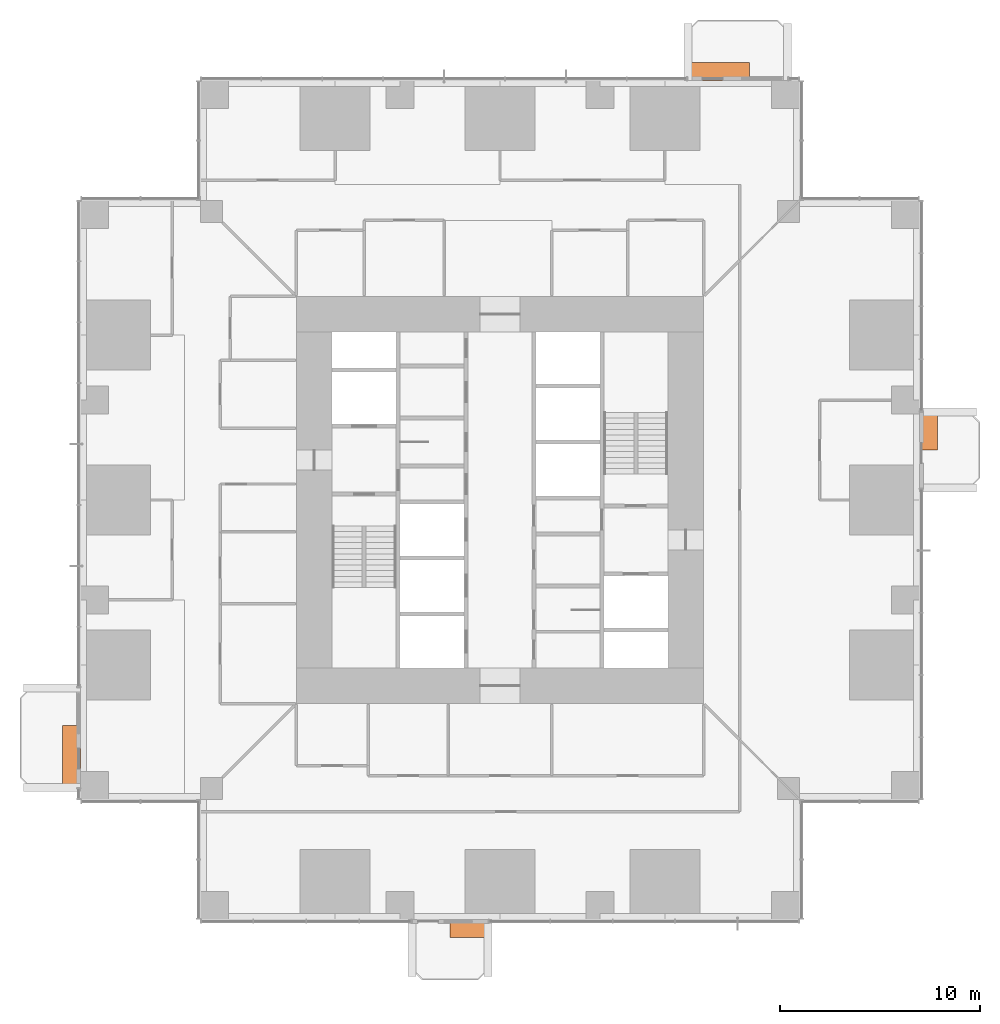
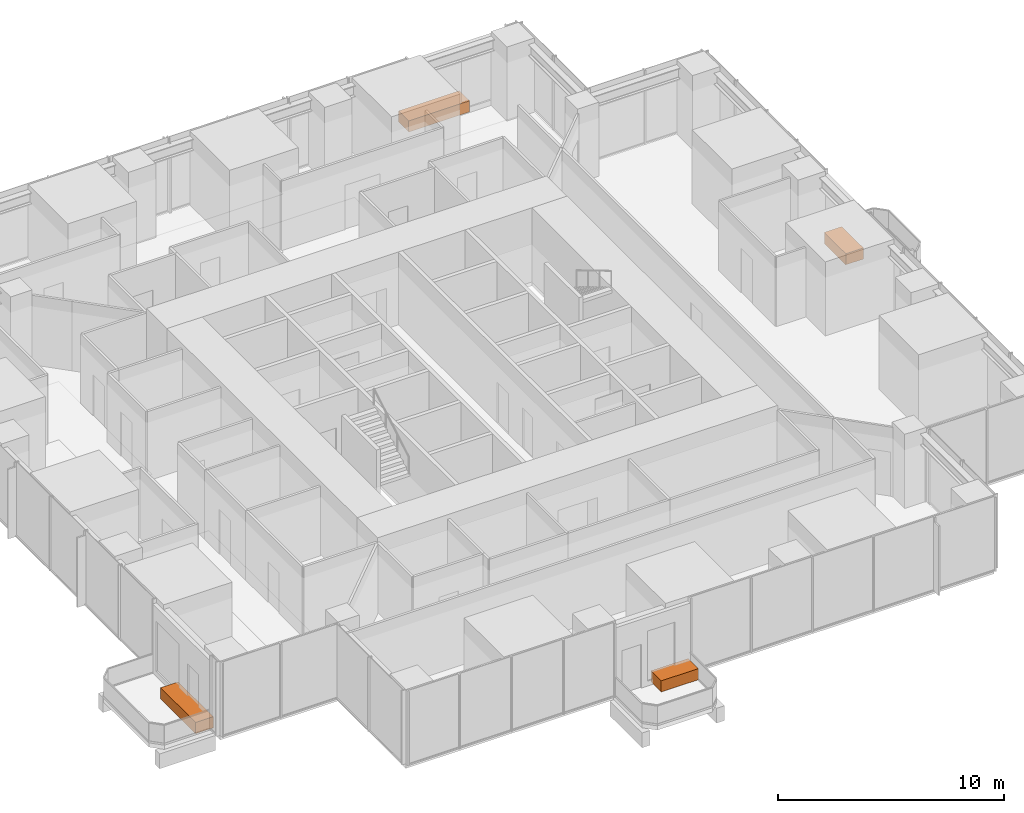
# One storey, part 17 of 17: 4 proxies.
"""IFC4 building model written with IfcOpenShell, lengths in metres."""

from ifc_helpers import new_model, si_unit, direction, frame, origin, origin_2d, place, context, subcontext, project, spatial, rectangle, extrude, element, save


model = new_model("IFC4")

# Units and contexts
model_context = context("Model", 3, precision=1e-05, world=origin(), true_north=direction((0.0, 1.0)))
body_context = subcontext(model_context, "Body", "Model", "MODEL_VIEW")
ifc_project = project(units=[si_unit("LENGTHUNIT", "METRE"), si_unit("AREAUNIT", "SQUARE_METRE"), si_unit("VOLUMEUNIT", "CUBIC_METRE"), si_unit("PLANEANGLEUNIT", "RADIAN"), si_unit("MASSUNIT", "GRAM", prefix="KILO")], contexts=[model_context])

# Site, building, storey
site_placement = place(None, origin())
site = spatial("IfcSite", under=ifc_project, at=site_placement, CompositionType="ELEMENT")
building_placement = place(site_placement, origin())
building = spatial("IfcBuilding", under=site, at=building_placement, Name="Svetlomir Tower", CompositionType="ELEMENT")
storey_placement = place(building_placement, frame((0.0, 0.0, 38.5)))
storey = spatial("IfcBuildingStorey", under=building, at=storey_placement, Name="L08", CompositionType="ELEMENT", Elevation=38.5)

# Proxies
proxy_1_placement = place(storey_placement, frame((19.449951171875, -0.449951171875, 0.0400390625), z_axis=(0.0, 0.0, 1.0), x_axis=(1.0, 0.0, 0.0)))
element("IfcBuildingElementProxy", 1, at=proxy_1_placement, inside=storey, Name="Tree planter S L08", ObjectType="PLANTER", PredefinedType="USERDEFINED", context=body_context, shape_type="SweptSolid", body=[
    extrude(rectangle(XDim=1.89990234375, YDim=0.89990234375, at=origin_2d()), origin(), (0.0, 0.0, 1.0), 0.60009765625),
])
proxy_2_placement = place(storey_placement, frame((42.449951171875, 24.449951171875, 0.0400390625), z_axis=(0.0, 0.0, 1.0), x_axis=(1.0, 0.0, 0.0)))
element("IfcBuildingElementProxy", 2, at=proxy_2_placement, inside=storey, Name="Tree planter E L08", ObjectType="PLANTER", PredefinedType="USERDEFINED", context=body_context, shape_type="SweptSolid", body=[
    extrude(rectangle(XDim=0.89990234375, YDim=1.89990234375, at=origin_2d()), origin(), (0.0, 0.0, 1.0), 0.60009765625),
])
proxy_3_placement = place(storey_placement, frame((31.949951171875, 42.449951171875, 0.0400390625), z_axis=(0.0, 0.0, 1.0), x_axis=(1.0, 0.0, 0.0)))
element("IfcBuildingElementProxy", 3, at=proxy_3_placement, inside=storey, Name="Tree planter N L08", ObjectType="PLANTER", PredefinedType="USERDEFINED", context=body_context, shape_type="SweptSolid", body=[
    extrude(rectangle(XDim=3.10009765625, YDim=0.89990234375, at=origin_2d()), origin(), (0.0, 0.0, 1.0), 0.60009765625),
])
proxy_4_placement = place(storey_placement, frame((-0.449951171875, 8.14990234375, 0.0400390625), z_axis=(0.0, 0.0, 1.0), x_axis=(1.0, 0.0, 0.0)))
element("IfcBuildingElementProxy", 4, at=proxy_4_placement, inside=storey, Name="Tree planter W L08", ObjectType="PLANTER", PredefinedType="USERDEFINED", context=body_context, shape_type="SweptSolid", body=[
    extrude(rectangle(XDim=0.89990234375, YDim=3.10009765625, at=origin_2d()), origin(), (0.0, 0.0, 1.0), 0.60009765625),
])

save(model, "model.ifc")
